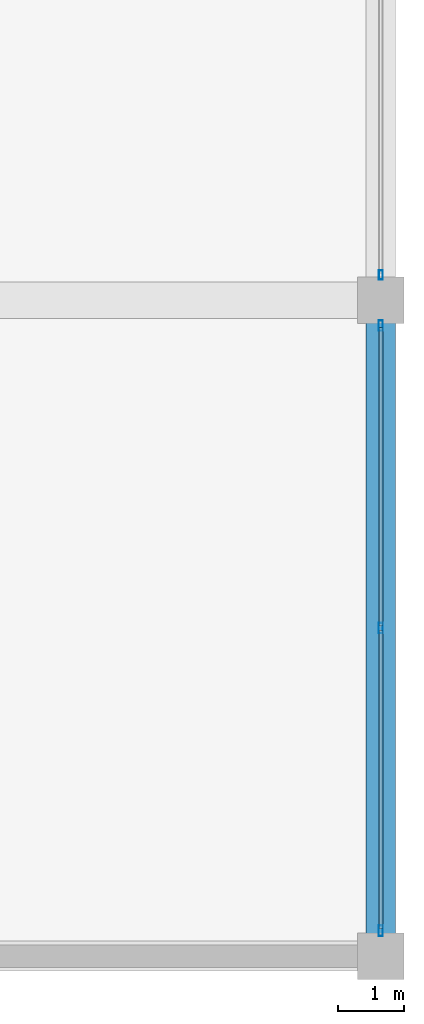
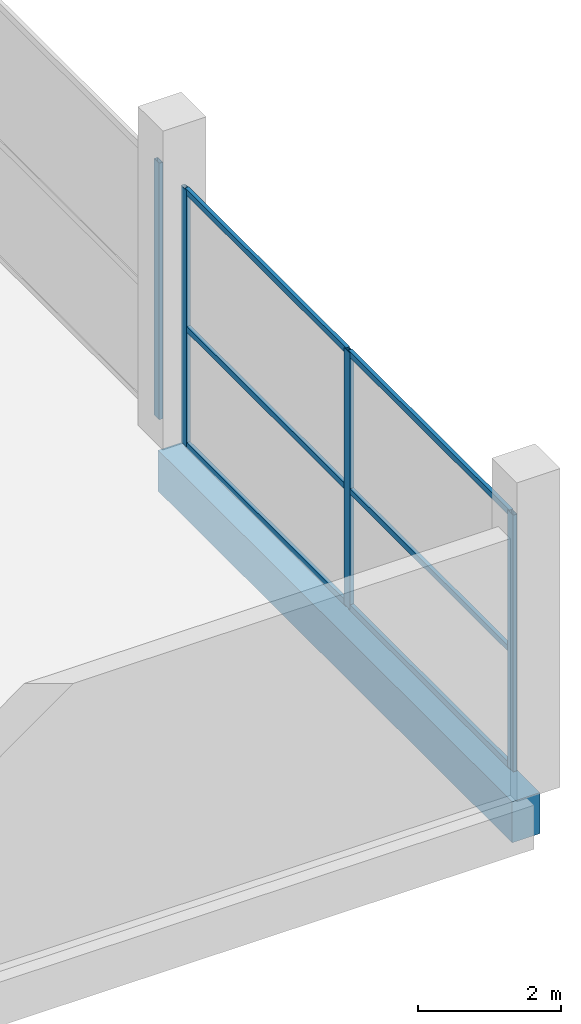
# One storey, part 33 of 72: 10 members, 1 beam, 2 elements without a shape of their own.
"""IFC4 building model written with IfcOpenShell, lengths in metres."""

from ifc_helpers import new_model, si_unit, direction, frame, origin, origin_2d, place, context, subcontext, project, spatial, rectangle, hollow_rectangle, extrude, material, layer, layer_set, material_profile, profile_set, type_object, element, aggregate, save


model = new_model("IFC4")

# Units and contexts
model_context = context("Model", 3, precision=1e-05, world=origin(), true_north=direction((0.0, 1.0)))
body_context = subcontext(model_context, "Body", "Model", "MODEL_VIEW")
ifc_project = project(units=[si_unit("LENGTHUNIT", "METRE"), si_unit("AREAUNIT", "SQUARE_METRE"), si_unit("VOLUMEUNIT", "CUBIC_METRE"), si_unit("PLANEANGLEUNIT", "RADIAN"), si_unit("MASSUNIT", "GRAM", prefix="KILO")], contexts=[model_context])

# Site, building, storey
site_placement = place(None, origin())
site = spatial("IfcSite", under=ifc_project, at=site_placement, CompositionType="ELEMENT")
building_placement = place(site_placement, origin())
building = spatial("IfcBuilding", under=site, at=building_placement, Name="Sillaruma Civic Art Gallery", CompositionType="ELEMENT")
storey_placement = place(building_placement, frame((0.0, 0.0, 10.8798828125)))
storey = spatial("IfcBuildingStorey", under=building, at=storey_placement, Name="L02", CompositionType="ELEMENT", Elevation=10.8798828125)

# Beam
ifc_material_1 = material(Name="Concrete H35 (35 MPa)", Category="concrete")
ifc_material_profile_1 = material_profile(ifc_material_1, rectangle(XDim=0.449951171875, YDim=0.699951171875, at=origin_2d()), Name="RCB450x700")
ifc_profile_set_1 = profile_set([ifc_material_profile_1], Name="Concrete H35 (35 MPa)")
beam_type = type_object("IfcBeamType", Name="BM-SPANDREL-RCB450x700", PredefinedType="SPANDREL", material=ifc_profile_set_1)
beam_placement = place(storey_placement, frame((176.39990234375, 0.0, -0.60986328125), z_axis=(0.0, 1.0, 0.0), x_axis=(-1.0, 0.0, 0.0)))
element("IfcBeam", 1, at=beam_placement, inside=storey, type_object=beam_type, Name="Beam BS-03 (L01:T:1-2)", PredefinedType="SPANDREL", context=body_context, shape_type="SweptSolid", body=[
    extrude(rectangle(XDim=0.449951171875, YDim=0.699951171875, at=origin_2d()), origin(), (0.0, 0.0, 1.0), 9.89990234375),
])

# Curtain wall, member
ifc_material_2 = material(Name="Thermally Broken Extruded Aluminium 6063-T6", Category="aluminium")
ifc_layer_1 = layer(ifc_material_2, 0.139892578125, Name="Thermally Broken Extruded Aluminium 6063-T6")
ifc_layer_set_1 = layer_set([ifc_layer_1], Name="Thermally Broken Extruded Aluminium 6063-T6")
curtain_wall_type_1 = type_object("IfcCurtainWallType", Name="CW-UNI-11", PredefinedType="NOTDEFINED", material=ifc_layer_set_1)
curtain_wall_1_placement = place(storey_placement, origin())
curtain_wall_1 = element("IfcCurtainWall", 2, at=curtain_wall_1_placement, inside=storey, type_object=curtain_wall_type_1, Name="Unitised Curtain Wall CW-11 (CW-L02-ESTR-2)", PredefinedType="NOTDEFINED")
ifc_material_profile_2 = material_profile(ifc_material_2, hollow_rectangle(XDim=0.06005859375, YDim=0.139892578125, WallThickness=0.00341796875, at=origin_2d()), Name="CWM60x140")
ifc_profile_set_2 = profile_set([ifc_material_profile_2], Name="Thermally Broken Extruded Aluminium 6063-T6")
member_type_1 = type_object("IfcMemberType", Name="MEM-MUL-CWM60x140", PredefinedType="MULLION", material=ifc_profile_set_2)
member_1_placement = place(storey_placement, frame((176.39990234375, 10.280029296875, 0.0), z_axis=(0.0, 0.0, 1.0), x_axis=(-1.0, 0.0, 0.0)))
member_1 = element("IfcMember", 3, at=member_1_placement, type_object=member_type_1, Name="CW-11 mullion 1", PredefinedType="MULLION", context=body_context, shape_type="SweptSolid", body=[
    extrude(hollow_rectangle(XDim=0.06005859375, YDim=0.139892578125, WallThickness=0.00341796875, at=origin_2d()), origin(), (0.0, 0.0, 1.0), 4.380126953125),
])
aggregate(curtain_wall_1, [member_1])

# Curtain wall, members
ifc_layer_2 = layer(ifc_material_2, 0.159912109375, Name="Thermally Broken Extruded Aluminium 6063-T6")
ifc_layer_set_2 = layer_set([ifc_layer_2], Name="Thermally Broken Extruded Aluminium 6063-T6")
curtain_wall_type_2 = type_object("IfcCurtainWallType", Name="CW-UNI-10", PredefinedType="NOTDEFINED", material=ifc_layer_set_2)
curtain_wall_2_placement = place(storey_placement, origin())
curtain_wall_2 = element("IfcCurtainWall", 4, at=curtain_wall_2_placement, inside=storey, type_object=curtain_wall_type_2, Name="Unitised Curtain Wall CW-10 (CW-L02-ESTR-1)", PredefinedType="NOTDEFINED")
ifc_material_profile_3 = material_profile(ifc_material_2, hollow_rectangle(XDim=0.06494140625, YDim=0.159912109375, WallThickness=0.00390625, at=origin_2d()), Name="CWM65x160")
ifc_profile_set_3 = profile_set([ifc_material_profile_3], Name="Thermally Broken Extruded Aluminium 6063-T6")
member_type_2 = type_object("IfcMemberType", Name="MEM-MUL-CWM65x160", PredefinedType="MULLION", material=ifc_profile_set_3)
member_2_placement = place(storey_placement, frame((176.39990234375, 0.382568359375, 0.0), z_axis=(0.0, 0.0, 1.0), x_axis=(-1.0, 0.0, 0.0)))
member_2 = element("IfcMember", 5, at=member_2_placement, type_object=member_type_2, Name="CW-10 mullion 1", PredefinedType="MULLION", context=body_context, shape_type="SweptSolid", body=[
    extrude(hollow_rectangle(XDim=0.06494140625, YDim=0.159912109375, WallThickness=0.00390625, at=origin_2d()), origin(), (0.0, 0.0, 1.0), 4.380126953125),
])
member_3_placement = place(storey_placement, frame((176.39990234375, 4.949951171875, 0.0), z_axis=(0.0, 0.0, 1.0), x_axis=(-1.0, 0.0, 0.0)))
member_3 = element("IfcMember", 6, at=member_3_placement, type_object=member_type_2, Name="CW-10 mullion 2", PredefinedType="MULLION", context=body_context, shape_type="SweptSolid", body=[
    extrude(hollow_rectangle(XDim=0.06494140625, YDim=0.159912109375, WallThickness=0.00390625, at=origin_2d()), origin(), (0.0, 0.0, 1.0), 4.380126953125),
])
member_4_placement = place(storey_placement, frame((176.39990234375, 9.517578125, 0.0), z_axis=(0.0, 0.0, 1.0), x_axis=(-1.0, 0.0, 0.0)))
member_4 = element("IfcMember", 7, at=member_4_placement, type_object=member_type_2, Name="CW-10 mullion 3", PredefinedType="MULLION", context=body_context, shape_type="SweptSolid", body=[
    extrude(hollow_rectangle(XDim=0.06494140625, YDim=0.159912109375, WallThickness=0.00390625, at=origin_2d()), origin(), (0.0, 0.0, 1.0), 4.380126953125),
])
ifc_material_profile_4 = material_profile(ifc_material_2, hollow_rectangle(XDim=0.06005859375, YDim=0.10009765625, WallThickness=0.003173828125, at=origin_2d()), Name="CWT60x100")
ifc_profile_set_4 = profile_set([ifc_material_profile_4], Name="Thermally Broken Extruded Aluminium 6063-T6")
member_type_3 = type_object("IfcMemberType", Name="MEM-TRN-CWT60x100", PredefinedType="USERDEFINED", material=ifc_profile_set_4)
member_5_placement = place(storey_placement, frame((176.39990234375, 0.4150390625, 0.030029296875), z_axis=(0.0, 1.0, 0.0), x_axis=(-1.0, 0.0, 0.0)))
member_5 = element("IfcMember", 8, at=member_5_placement, type_object=member_type_3, Name="CW-10 transom 1.1", ObjectType="TRANSOM", PredefinedType="USERDEFINED", context=body_context, shape_type="SweptSolid", body=[
    extrude(hollow_rectangle(XDim=0.06005859375, YDim=0.10009765625, WallThickness=0.003173828125, at=origin_2d()), origin(), (0.0, 0.0, 1.0), 4.50244140625),
])
member_6_placement = place(storey_placement, frame((176.39990234375, 0.4150390625, 2.014892578125), z_axis=(0.0, 1.0, 0.0), x_axis=(-1.0, 0.0, 0.0)))
member_6 = element("IfcMember", 9, at=member_6_placement, type_object=member_type_3, Name="CW-10 transom 1.2", ObjectType="TRANSOM", PredefinedType="USERDEFINED", context=body_context, shape_type="SweptSolid", body=[
    extrude(hollow_rectangle(XDim=0.06005859375, YDim=0.10009765625, WallThickness=0.003173828125, at=origin_2d()), origin(), (0.0, 0.0, 1.0), 4.50244140625),
])
member_7_placement = place(storey_placement, frame((176.39990234375, 0.4150390625, 4.35009765625), z_axis=(0.0, 1.0, 0.0), x_axis=(-1.0, 0.0, 0.0)))
member_7 = element("IfcMember", 10, at=member_7_placement, type_object=member_type_3, Name="CW-10 transom 1.3", ObjectType="TRANSOM", PredefinedType="USERDEFINED", context=body_context, shape_type="SweptSolid", body=[
    extrude(hollow_rectangle(XDim=0.06005859375, YDim=0.10009765625, WallThickness=0.003173828125, at=origin_2d()), origin(), (0.0, 0.0, 1.0), 4.50244140625),
])
member_8_placement = place(storey_placement, frame((176.39990234375, 4.982421875, 0.030029296875), z_axis=(0.0, 1.0, 0.0), x_axis=(-1.0, 0.0, 0.0)))
member_8 = element("IfcMember", 11, at=member_8_placement, type_object=member_type_3, Name="CW-10 transom 2.1", ObjectType="TRANSOM", PredefinedType="USERDEFINED", context=body_context, shape_type="SweptSolid", body=[
    extrude(hollow_rectangle(XDim=0.06005859375, YDim=0.10009765625, WallThickness=0.003173828125, at=origin_2d()), origin(), (0.0, 0.0, 1.0), 4.502685546875),
])
member_9_placement = place(storey_placement, frame((176.39990234375, 4.982421875, 2.014892578125), z_axis=(0.0, 1.0, 0.0), x_axis=(-1.0, 0.0, 0.0)))
member_9 = element("IfcMember", 12, at=member_9_placement, type_object=member_type_3, Name="CW-10 transom 2.2", ObjectType="TRANSOM", PredefinedType="USERDEFINED", context=body_context, shape_type="SweptSolid", body=[
    extrude(hollow_rectangle(XDim=0.06005859375, YDim=0.10009765625, WallThickness=0.003173828125, at=origin_2d()), origin(), (0.0, 0.0, 1.0), 4.502685546875),
])
member_10_placement = place(storey_placement, frame((176.39990234375, 4.982421875, 4.35009765625), z_axis=(0.0, 1.0, 0.0), x_axis=(-1.0, 0.0, 0.0)))
member_10 = element("IfcMember", 13, at=member_10_placement, type_object=member_type_3, Name="CW-10 transom 2.3", ObjectType="TRANSOM", PredefinedType="USERDEFINED", context=body_context, shape_type="SweptSolid", body=[
    extrude(hollow_rectangle(XDim=0.06005859375, YDim=0.10009765625, WallThickness=0.003173828125, at=origin_2d()), origin(), (0.0, 0.0, 1.0), 4.502685546875),
])
aggregate(curtain_wall_2, [member_2, member_3, member_4, member_5, member_6, member_7, member_8, member_9, member_10])

save(model, "model.ifc")
